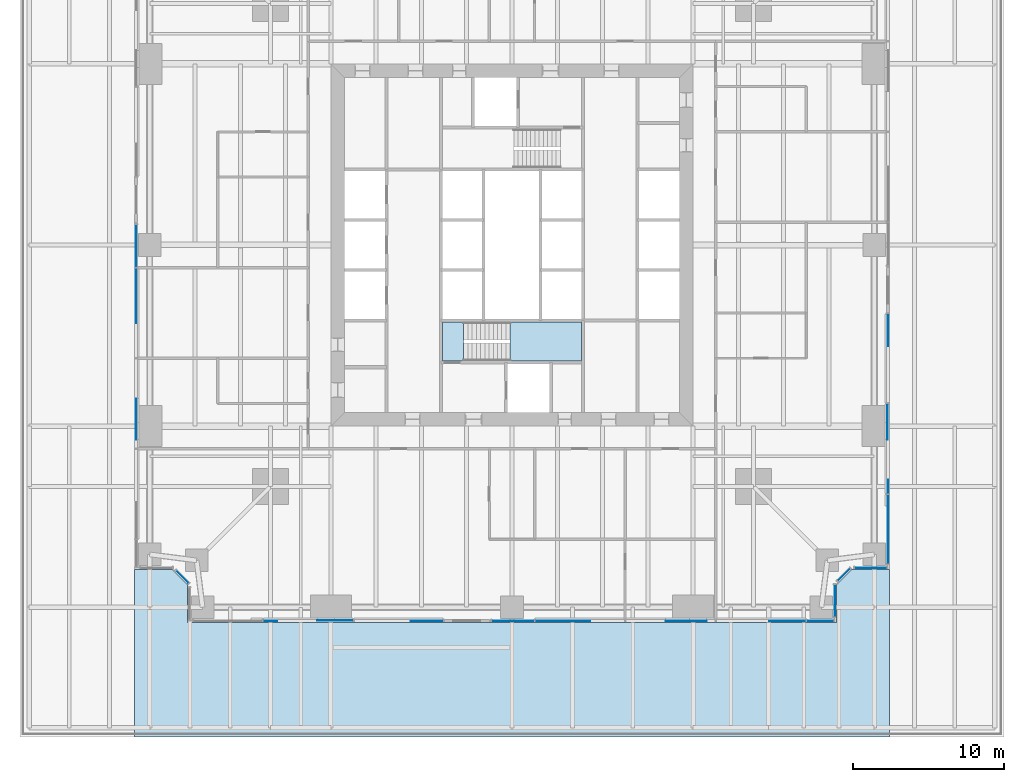
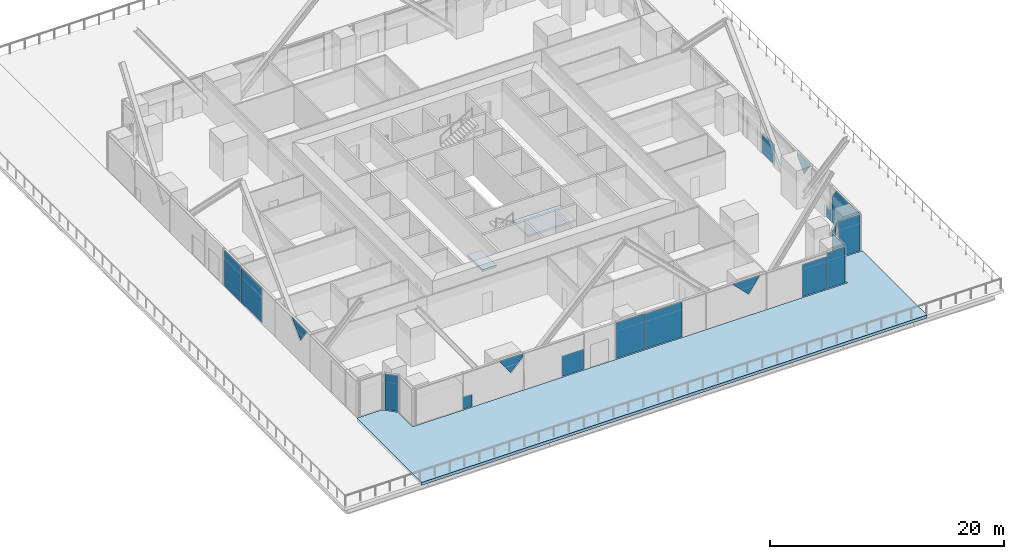
# One storey, part 11 of 21: 19 plates, 3 slabs, 9 elements without a shape of their own.
"""IFC4 building model written with IfcOpenShell, lengths in metres."""

import ifcopenshell
import ifcopenshell.guid

model = None  # the IFC model being written
_history = None  # IfcOwnerHistory: only IFC2X3 demands one
_inside = {}  # id of a spatial element -> (the spatial element, [elements in it])
_under = {}  # id of a project, library or spatial element -> (it, [spatial elements below it])
_declared = {}  # id of a project -> (the project, [libraries it declares])
_typed = {}  # id of a type object -> (the type object, [elements of that type])
_made_of = {}  # id of a material, layer set ... -> (it, [elements and type objects made of it])


def new_model(schema):
    """Start an empty IFC model of exactly this schema.

    Asked for "IFC4X3", IfcOpenShell would pick the latest addendum, in which some entities
    have other attributes; the version numbers below select the first issue.
    IFC2X3 requires an IfcOwnerHistory on every rooted entity: one is made here for all.
    """
    global model, _history
    if schema == "IFC4X3":
        model = ifcopenshell.file(schema_version=(4, 3, 0, 0))
    else:
        model = ifcopenshell.file(schema=schema)
    _inside.clear()
    _under.clear()
    _declared.clear()
    _typed.clear()
    _made_of.clear()
    _history = None
    if model.schema == "IFC2X3":
        org = make("IfcOrganization", Name="unknown")
        user = make(
            "IfcPersonAndOrganization",
            ThePerson=make("IfcPerson", FamilyName="unknown"),
            TheOrganization=org,
        )
        app = make(
            "IfcApplication",
            ApplicationDeveloper=org,
            Version="unknown",
            ApplicationFullName="unknown",
            ApplicationIdentifier="unknown",
        )
        _history = make(
            "IfcOwnerHistory",
            OwningUser=user,
            OwningApplication=app,
            ChangeAction="ADDED",
            CreationDate=0,
        )
    return model


def make(cls, **values):
    """One entity of the class cls with the attributes given. An attribute that is None is left unset."""
    return model.create_entity(
        cls, **{name: value for name, value in values.items() if value is not None}
    )


def rooted(cls, **values):
    """An entity with a GlobalId (a new one), such as an element, a storey or a relation."""
    return make(cls, GlobalId=ifcopenshell.guid.new(), OwnerHistory=_history, **values)


def si_unit(unit_type, name, prefix=None):
    """IfcSIUnit, for example si_unit("LENGTHUNIT", "METRE", prefix="MILLI")."""
    return make("IfcSIUnit", UnitType=unit_type, Prefix=prefix, Name=name)


def assignment(units):
    """IfcUnitAssignment: the units of a project."""
    return None if units is None else make("IfcUnitAssignment", Units=units)


def point(xyz):
    """IfcCartesianPoint."""
    return None if xyz is None else make("IfcCartesianPoint", Coordinates=xyz)


def direction(xyz):
    """IfcDirection."""
    return None if xyz is None else make("IfcDirection", DirectionRatios=xyz)


def frame(location, z_axis=None, x_axis=None):
    """IfcAxis2Placement3D, a coordinate frame: its origin and axes. An axis left out is left unset."""
    return make(
        "IfcAxis2Placement3D",
        Location=point(location),
        Axis=direction(z_axis),
        RefDirection=direction(x_axis),
    )


def frame_2d(location, x_axis=None):
    """IfcAxis2Placement2D, a coordinate frame in the plane: its origin and x axis."""
    return make(
        "IfcAxis2Placement2D", Location=point(location), RefDirection=direction(x_axis)
    )


def origin():
    """The frame at (0, 0, 0) with its axes left unset."""
    return frame((0.0, 0.0, 0.0))


def origin_2d():
    """The frame at (0, 0) in the plane with its x axis left unset."""
    return frame_2d((0.0, 0.0))


def place(relative_to, where):
    """IfcLocalPlacement: puts the frame where relative to a parent placement (None: the world)."""
    return make(
        "IfcLocalPlacement", PlacementRelTo=relative_to, RelativePlacement=where
    )


def context(
    kind, dimensions, precision=None, world=None, true_north=None, identifier=None
):
    """IfcGeometricRepresentationContext, for example the 3D "Model" context."""
    return make(
        "IfcGeometricRepresentationContext",
        ContextIdentifier=identifier,
        ContextType=kind,
        CoordinateSpaceDimension=dimensions,
        Precision=precision,
        WorldCoordinateSystem=world,
        TrueNorth=true_north,
    )


def subcontext(parent, identifier, kind, view, scale=None):
    """IfcGeometricRepresentationSubContext, for example "Body" below "Model"."""
    return make(
        "IfcGeometricRepresentationSubContext",
        ContextIdentifier=identifier,
        ContextType=kind,
        ParentContext=parent,
        TargetScale=scale,
        TargetView=view,
    )


def project(units=None, contexts=None):
    """IfcProject with its units and contexts."""
    return rooted(
        "IfcProject",
        Name="project",
        RepresentationContexts=contexts,
        UnitsInContext=assignment(units),
    )


def spatial(cls, under=None, at=None, **own):
    """A site, building, storey or space (cls), placed at a placement, below another one or the project."""
    s = rooted(cls, ObjectPlacement=at, **own)
    if under is not None:
        _under.setdefault(under.id(), (under, []))[1].append(s)
    return s


def polyline(points):
    """IfcPolyline through the points."""
    return make("IfcPolyline", Points=[point(p) for p in points])


def profile(cls, at=None, kind="AREA", **sizes):
    """A parametric profile (cls). Its sizes go by their IFC names, for example OverallWidth=200.0."""
    return make(cls, ProfileType=kind, Position=at, **sizes)


def rectangle(**sizes):
    """IfcRectangleProfileDef."""
    return profile("IfcRectangleProfileDef", **sizes)


def outline(outer, holes=None, kind="AREA"):
    """IfcArbitraryClosedProfileDef: a profile drawn as a closed curve; with holes, ...WithVoids."""
    if holes is None:
        return make("IfcArbitraryClosedProfileDef", ProfileType=kind, OuterCurve=outer)
    return make(
        "IfcArbitraryProfileDefWithVoids",
        ProfileType=kind,
        OuterCurve=outer,
        InnerCurves=holes,
    )


def extrude(swept, where, along, depth):
    """IfcExtrudedAreaSolid: the profile swept, set in the frame where, extruded along a direction by depth."""
    return make(
        "IfcExtrudedAreaSolid",
        SweptArea=swept,
        Position=where,
        ExtrudedDirection=direction(along),
        Depth=depth,
    )


def shape(context_of_items, identifier, shape_type, items):
    """IfcShapeRepresentation: the items that make up one representation, for example the "Body"."""
    return make(
        "IfcShapeRepresentation",
        ContextOfItems=context_of_items,
        RepresentationIdentifier=identifier,
        RepresentationType=shape_type,
        Items=items,
    )


def material(Name=None, Category=None):
    """IfcMaterial."""
    return make("IfcMaterial", Name=Name, Category=Category)


def layer(
    of_material, thickness, ventilated=None, Name=None, Category=None, Priority=None
):
    """IfcMaterialLayer: one layer of a wall or slab, of a material (None: an air gap)."""
    return make(
        "IfcMaterialLayer",
        Material=of_material,
        LayerThickness=thickness,
        IsVentilated=ventilated,
        Name=Name,
        Category=Category,
        Priority=Priority,
    )


def layer_set(layers, Name=None):
    """IfcMaterialLayerSet."""
    return make("IfcMaterialLayerSet", MaterialLayers=layers, LayerSetName=Name)


def made_of(thing, what):
    """Note that an element or type object is made of a material, layer set ...; save() writes the relation."""
    if what is not None:
        _made_of.setdefault(what.id(), (what, []))[1].append(thing)
    return thing


def type_object(cls, material=None, **own):
    """A type object (cls), such as IfcWallType, which elements share."""
    return made_of(rooted(cls, **own), material)


def element(
    cls,
    number,
    at=None,
    inside=None,
    cuts=None,
    type_object=None,
    material=None,
    context=None,
    identifier="Body",
    shape_type=None,
    held_by="IfcProductDefinitionShape",
    body=None,
    shapes=None,
    **own,
):
    """One element of the class cls, such as IfcWall. Its Tag is "e" and its number.

    at: its placement. inside: the storey or other place that contains it. cuts: it is an
    opening in that element (IfcRelVoidsElement). A single representation is given by context,
    identifier, shape_type and body (its items); several are given by shapes. held_by: the class
    of the entity that holds the representations. save() writes the other relations.
    """
    e = rooted(cls, Tag="e%d" % number, ObjectPlacement=at, **own)
    if body is not None:
        shapes = [shape(context, identifier, shape_type, body)]
    if shapes is not None:
        e.Representation = make(held_by, Representations=shapes)
    if inside is not None:
        _inside.setdefault(inside.id(), (inside, []))[1].append(e)
    if cuts is not None:
        rooted(
            "IfcRelVoidsElement", RelatingBuildingElement=cuts, RelatedOpeningElement=e
        )
    if type_object is not None:
        _typed.setdefault(type_object.id(), (type_object, []))[1].append(e)
    return made_of(e, material)


def aggregate(whole, parts):
    """IfcRelAggregates: a whole, such as a stair, and the parts it consists of."""
    return rooted("IfcRelAggregates", RelatingObject=whole, RelatedObjects=parts)


def save(model, path):
    """Write the relations noted so far, then the file.

    IfcRelAggregates (storeys below a building ...), IfcRelContainedInSpatialStructure (elements
    in a storey), IfcRelDefinesByType, IfcRelAssociatesMaterial and IfcRelDeclares: one each for
    every whole, place, type object, material and project.
    """
    for whole, parts in _under.values():
        aggregate(whole, parts)
    for where, things in _inside.values():
        rooted(
            "IfcRelContainedInSpatialStructure",
            RelatedElements=things,
            RelatingStructure=where,
        )
    for kind, things in _typed.values():
        rooted("IfcRelDefinesByType", RelatedObjects=things, RelatingType=kind)
    for what, things in _made_of.values():
        rooted("IfcRelAssociatesMaterial", RelatedObjects=things, RelatingMaterial=what)
    for by, libraries in _declared.values():
        rooted("IfcRelDeclares", RelatingContext=by, RelatedDefinitions=libraries)
    model.write(path)


model = new_model("IFC4")

# Units and contexts
model_context = context("Model", 3, precision=1e-05, world=origin(), true_north=direction((0.0, 1.0)))
body_context = subcontext(model_context, "Body", "Model", "MODEL_VIEW")
ifc_project = project(units=[si_unit("LENGTHUNIT", "METRE"), si_unit("AREAUNIT", "SQUARE_METRE"), si_unit("VOLUMEUNIT", "CUBIC_METRE"), si_unit("PLANEANGLEUNIT", "RADIAN"), si_unit("MASSUNIT", "GRAM", prefix="KILO")], contexts=[model_context])

# Site, building, storey
site_placement = place(None, origin())
site = spatial("IfcSite", under=ifc_project, at=site_placement, CompositionType="ELEMENT")
building_placement = place(site_placement, origin())
building = spatial("IfcBuilding", under=site, at=building_placement, Name="Fenwick Lantern Interchange", CompositionType="ELEMENT")
storey_placement = place(building_placement, frame((0.0, 0.0, 31.0)))
storey = spatial("IfcBuildingStorey", under=building, at=storey_placement, Name="L06", CompositionType="ELEMENT", Elevation=31.0)

# Curtain wall, plates
ifc_material_1 = material(Name="Aluminium curtain wall frame", Category="aluminium")
curtain_wall_type = type_object("IfcCurtainWallType", Name="OFFICE CURTAIN WALL", PredefinedType="USERDEFINED", material=ifc_material_1)
curtain_wall_1_placement = place(storey_placement, origin())
curtain_wall_1 = element("IfcCurtainWall", 1, at=curtain_wall_1_placement, inside=storey, type_object=curtain_wall_type, Name="Office curtain wall 01A", ObjectType="OFFICE CURTAIN WALL", PredefinedType="USERDEFINED")
ifc_material_2 = material(Name="Vision glass, clear low-iron double glazed", Category="glass")
ifc_layer_1 = layer(ifc_material_2, 0.031982421875)
ifc_layer_set_1 = layer_set([ifc_layer_1], Name="OFFICE CURTAIN WALL PANEL 32")
plate_type = type_object("IfcPlateType", Name="OFFICE CURTAIN WALL PANEL 32", PredefinedType="CURTAIN_PANEL", material=ifc_layer_set_1)
plate_1_placement = place(storey_placement, frame((3.60009765625, 0.10009765625, 0.0), z_axis=(0.0, 0.0, 1.0), x_axis=(1.0, 0.0, 0.0)))
plate_1 = element("IfcPlate", 2, at=plate_1_placement, type_object=plate_type, Name="L06/CW/01A/P01a", PredefinedType="CURTAIN_PANEL", context=body_context, shape_type="SweptSolid", body=[
    extrude(outline(polyline([(4.9326171875, 0.0), (5.842529296875, 0.0), (5.842529296875, 1.287841796875), (4.9326171875, 1.287841796875), (4.9326171875, 0.0)])), frame((0.0, 0.01611328125, 0.0), z_axis=(0.0, -1.0, 0.0), x_axis=(1.0, 0.0, 0.0)), (0.0, 0.0, 1.0), 0.031982421875),
])
plate_2_placement = place(storey_placement, frame((3.60009765625, 0.10009765625, 2.158935546875), z_axis=(0.0, 0.0, 1.0), x_axis=(1.0, 0.0, 0.0)))
plate_2 = element("IfcPlate", 3, at=plate_2_placement, type_object=plate_type, Name="L06/CW/01A/P01b", PredefinedType="CURTAIN_PANEL", context=body_context, shape_type="SweptSolid", body=[
    extrude(outline(polyline([(9.635986328125, 0.0), (10.867431640625, 1.2333984375), (10.867431640625, 1.591064453125), (8.510498046875, 1.591064453125), (9.635986328125, 0.0)])), frame((0.0, 0.0498046875, 0.0), z_axis=(0.0, -1.0, 0.0), x_axis=(1.0, 0.0, 0.0)), (0.0, 0.0, 1.0), 0.031982421875),
])
plate_3_placement = place(storey_placement, frame((3.60009765625, 0.10009765625, 0.0), z_axis=(0.0, 0.0, 1.0), x_axis=(1.0, 0.0, 0.0)))
plate_3 = element("IfcPlate", 4, at=plate_3_placement, type_object=plate_type, Name="L06/CW/01A/P02a", PredefinedType="CURTAIN_PANEL", context=body_context, shape_type="SweptSolid", body=[
    extrude(outline(polyline([(14.70263671875, 0.0), (16.8349609375, 0.0), (16.8349609375, 2.138427734375), (14.70263671875, 2.138427734375), (14.70263671875, 0.0)])), frame((0.0, 0.01611328125, 0.0), z_axis=(0.0, -1.0, 0.0), x_axis=(1.0, 0.0, 0.0)), (0.0, 0.0, 1.0), 0.031982421875),
])
aggregate(curtain_wall_1, [plate_1, plate_2, plate_3])

curtain_wall_2_placement = place(storey_placement, origin())
curtain_wall_2 = element("IfcCurtainWall", 5, at=curtain_wall_2_placement, inside=storey, type_object=curtain_wall_type, Name="Office curtain wall 01B", ObjectType="OFFICE CURTAIN WALL", PredefinedType="USERDEFINED")
plate_4_placement = place(storey_placement, frame((25.066162109375, 0.10009765625, 0.0), z_axis=(0.0, 0.0, 1.0), x_axis=(1.0, 0.0, 0.0)))
plate_4 = element("IfcPlate", 6, at=plate_4_placement, type_object=plate_type, Name="L06/CW/01B/P00", PredefinedType="CURTAIN_PANEL", context=body_context, shape_type="SweptSolid", body=[
    extrude(rectangle(XDim=2.802490234375, YDim=0.031982421875, at=origin_2d()), origin(), (0.0, 0.0, 1.0), 3.75),
])
plate_5_placement = place(storey_placement, frame((23.5, 0.10009765625, 0.0), z_axis=(0.0, 0.0, 1.0), x_axis=(1.0, 0.0, 0.0)))
plate_5 = element("IfcPlate", 7, at=plate_5_placement, type_object=plate_type, Name="L06/CW/01B/P01a", PredefinedType="CURTAIN_PANEL", context=body_context, shape_type="SweptSolid", body=[
    extrude(outline(polyline([(3.032470703125, 0.0), (6.6826171875, 0.0), (6.6826171875, 3.65576171875), (3.032470703125, 3.65576171875), (3.032470703125, 0.0)])), frame((0.0, 0.01611328125, 0.0), z_axis=(0.0, -1.0, 0.0), x_axis=(1.0, 0.0, 0.0)), (0.0, 0.0, 1.0), 0.031982421875),
])
plate_6_placement = place(storey_placement, frame((23.5, 0.10009765625, 2.158935546875), z_axis=(0.0, 0.0, 1.0), x_axis=(1.0, 0.0, 0.0)))
plate_6 = element("IfcPlate", 8, at=plate_6_placement, type_object=plate_type, Name="L06/CW/01B/P02a", PredefinedType="CURTAIN_PANEL", context=body_context, shape_type="SweptSolid", body=[
    extrude(outline(polyline([(13.26416015625, 0.0), (14.389404296875, 1.591064453125), (11.675537109375, 1.591064453125), (13.26416015625, 0.0)])), frame((0.0, 0.01611328125, 0.0), z_axis=(0.0, -1.0, 0.0), x_axis=(1.0, 0.0, 0.0)), (0.0, 0.0, 1.0), 0.031982421875),
])
plate_7_placement = place(storey_placement, frame((23.5, 0.10009765625, 0.0), z_axis=(0.0, 0.0, 1.0), x_axis=(1.0, 0.0, 0.0)))
plate_7 = element("IfcPlate", 9, at=plate_7_placement, type_object=plate_type, Name="L06/CW/01B/P03a", PredefinedType="CURTAIN_PANEL", context=body_context, shape_type="SweptSolid", body=[
    extrude(outline(polyline([(18.556640625, 0.0), (20.967529296875, 0.0), (20.967529296875, 3.40771484375), (18.556640625, 3.40771484375), (18.556640625, 0.0)])), frame((0.0, 0.01611328125, 0.0), z_axis=(0.0, -1.0, 0.0), x_axis=(1.0, 0.0, 0.0)), (0.0, 0.0, 1.0), 0.031982421875),
])
plate_8_placement = place(storey_placement, frame((45.433837890625, 0.10009765625, 0.0), z_axis=(0.0, 0.0, 1.0), x_axis=(1.0, 0.0, 0.0)))
plate_8 = element("IfcPlate", 10, at=plate_8_placement, type_object=plate_type, Name="L06/CW/01B/P04", PredefinedType="CURTAIN_PANEL", context=body_context, shape_type="SweptSolid", body=[
    extrude(rectangle(XDim=1.802490234375, YDim=0.031982421875, at=origin_2d()), origin(), (0.0, 0.0, 1.0), 3.75),
])
aggregate(curtain_wall_2, [plate_4, plate_5, plate_6, plate_7, plate_8])

# Curtain wall, plate
curtain_wall_3_placement = place(storey_placement, origin())
curtain_wall_3 = element("IfcCurtainWall", 11, at=curtain_wall_3_placement, inside=storey, type_object=curtain_wall_type, Name="Office curtain wall 02", ObjectType="OFFICE CURTAIN WALL", PredefinedType="USERDEFINED")
plate_9_placement = place(storey_placement, frame((46.39990234375, 1.420654296875, 0.0), z_axis=(0.0, 0.0, 1.0), x_axis=(0.0, 1.0, 0.0)))
plate_9 = element("IfcPlate", 12, at=plate_9_placement, type_object=plate_type, Name="L06/CW/02/P00", PredefinedType="CURTAIN_PANEL", context=body_context, shape_type="SweptSolid", body=[
    extrude(rectangle(XDim=2.111328125, YDim=0.031982421875, at=origin_2d()), origin(), (0.0, 0.0, 1.0), 3.75),
])
aggregate(curtain_wall_3, [plate_9])

curtain_wall_4_placement = place(storey_placement, origin())
curtain_wall_4 = element("IfcCurtainWall", 13, at=curtain_wall_4_placement, inside=storey, type_object=curtain_wall_type, Name="Office curtain wall 03", ObjectType="OFFICE CURTAIN WALL", PredefinedType="USERDEFINED")
plate_10_placement = place(storey_placement, frame((47.0, 3.141357421875, 0.0), z_axis=(0.0, 0.0, 1.0), x_axis=(0.707106781187, 0.707106781187, 0.0)))
plate_10 = element("IfcPlate", 14, at=plate_10_placement, type_object=plate_type, Name="L06/CW/03/P00", PredefinedType="CURTAIN_PANEL", context=body_context, shape_type="SweptSolid", body=[
    extrude(rectangle(XDim=1.1669921875, YDim=0.031982421875, at=origin_2d()), origin(), (0.0, 0.0, 1.0), 3.75),
])
aggregate(curtain_wall_4, [plate_10])

curtain_wall_5_placement = place(storey_placement, origin())
curtain_wall_5 = element("IfcCurtainWall", 15, at=curtain_wall_5_placement, inside=storey, type_object=curtain_wall_type, Name="Office curtain wall 04", ObjectType="OFFICE CURTAIN WALL", PredefinedType="USERDEFINED")
plate_11_placement = place(storey_placement, frame((48.779296875, 3.60009765625, 0.0), z_axis=(0.0, 0.0, 1.0), x_axis=(1.0, 0.0, 0.0)))
plate_11 = element("IfcPlate", 16, at=plate_11_placement, type_object=plate_type, Name="L06/CW/04/P00", PredefinedType="CURTAIN_PANEL", context=body_context, shape_type="SweptSolid", body=[
    extrude(rectangle(XDim=2.111328125, YDim=0.031982421875, at=origin_2d()), origin(), (0.0, 0.0, 1.0), 3.75),
])
aggregate(curtain_wall_5, [plate_11])

# Curtain wall, plates
curtain_wall_6_placement = place(storey_placement, origin())
curtain_wall_6 = element("IfcCurtainWall", 17, at=curtain_wall_6_placement, inside=storey, type_object=curtain_wall_type, Name="Office curtain wall 05A", ObjectType="OFFICE CURTAIN WALL", PredefinedType="USERDEFINED")
plate_12_placement = place(storey_placement, frame((49.89990234375, 3.60009765625, 0.0), z_axis=(0.0, 0.0, 1.0), x_axis=(0.0, 1.0, 0.0)))
plate_12 = element("IfcPlate", 18, at=plate_12_placement, type_object=plate_type, Name="L06/CW/05A/P00a", PredefinedType="CURTAIN_PANEL", context=body_context, shape_type="SweptSolid", body=[
    extrude(outline(polyline([(0.264892578125, 0.0), (4.867431640625, 0.0), (4.867431640625, 2.66650390625), (4.101318359375, 3.75), (0.264892578125, 3.75), (0.264892578125, 0.0)])), frame((0.0, 0.01611328125, 0.0), z_axis=(0.0, -1.0, 0.0), x_axis=(1.0, 0.0, 0.0)), (0.0, 0.0, 1.0), 0.031982421875),
])
plate_13_placement = place(storey_placement, frame((49.89990234375, 3.60009765625, 0.0), z_axis=(0.0, 0.0, 1.0), x_axis=(0.0, 1.0, 0.0)))
plate_13 = element("IfcPlate", 19, at=plate_13_placement, type_object=plate_type, Name="L06/CW/05A/P01a", PredefinedType="CURTAIN_PANEL", context=body_context, shape_type="SweptSolid", body=[
    extrude(outline(polyline([(4.9326171875, 0.0), (5.842529296875, 0.0), (5.842529296875, 1.287841796875), (4.9326171875, 1.287841796875), (4.9326171875, 0.0)])), frame((0.0, 0.01611328125, 0.0), z_axis=(0.0, -1.0, 0.0), x_axis=(1.0, 0.0, 0.0)), (0.0, 0.0, 1.0), 0.031982421875),
])
plate_14_placement = place(storey_placement, frame((49.89990234375, 3.60009765625, 2.158935546875), z_axis=(0.0, 0.0, 1.0), x_axis=(0.0, 1.0, 0.0)))
plate_14 = element("IfcPlate", 20, at=plate_14_placement, type_object=plate_type, Name="L06/CW/05A/P01b", PredefinedType="CURTAIN_PANEL", context=body_context, shape_type="SweptSolid", body=[
    extrude(outline(polyline([(9.635986328125, 0.0), (10.867431640625, 1.2333984375), (10.867431640625, 1.591064453125), (8.510498046875, 1.591064453125), (9.635986328125, 0.0)])), frame((0.0, 0.0498046875, 0.0), z_axis=(0.0, -1.0, 0.0), x_axis=(1.0, 0.0, 0.0)), (0.0, 0.0, 1.0), 0.031982421875),
])
plate_15_placement = place(storey_placement, frame((49.89990234375, 3.60009765625, 0.0), z_axis=(0.0, 0.0, 1.0), x_axis=(0.0, 1.0, 0.0)))
plate_15 = element("IfcPlate", 21, at=plate_15_placement, type_object=plate_type, Name="L06/CW/05A/P02a", PredefinedType="CURTAIN_PANEL", context=body_context, shape_type="SweptSolid", body=[
    extrude(outline(polyline([(14.70263671875, 0.0), (16.8349609375, 0.0), (16.8349609375, 2.138427734375), (14.70263671875, 2.138427734375), (14.70263671875, 0.0)])), frame((0.0, 0.01611328125, 0.0), z_axis=(0.0, -1.0, 0.0), x_axis=(1.0, 0.0, 0.0)), (0.0, 0.0, 1.0), 0.031982421875),
])
aggregate(curtain_wall_6, [plate_12, plate_13, plate_14, plate_15])

curtain_wall_7_placement = place(storey_placement, origin())
curtain_wall_7 = element("IfcCurtainWall", 22, at=curtain_wall_7_placement, inside=storey, type_object=curtain_wall_type, Name="Office curtain wall 13B", ObjectType="OFFICE CURTAIN WALL", PredefinedType="USERDEFINED")
plate_16_placement = place(storey_placement, frame((0.10009765625, 24.933837890625, 0.0), z_axis=(0.0, 0.0, 1.0), x_axis=(0.0, -1.0, 0.0)))
plate_16 = element("IfcPlate", 23, at=plate_16_placement, type_object=plate_type, Name="L06/CW/13B/P00", PredefinedType="CURTAIN_PANEL", context=body_context, shape_type="SweptSolid", body=[
    extrude(rectangle(XDim=2.802490234375, YDim=0.031982421875, at=origin_2d()), origin(), (0.0, 0.0, 1.0), 3.75),
])
plate_17_placement = place(storey_placement, frame((0.10009765625, 26.5, 0.0), z_axis=(0.0, 0.0, 1.0), x_axis=(0.0, -1.0, 0.0)))
plate_17 = element("IfcPlate", 24, at=plate_17_placement, type_object=plate_type, Name="L06/CW/13B/P01a", PredefinedType="CURTAIN_PANEL", context=body_context, shape_type="SweptSolid", body=[
    extrude(outline(polyline([(3.032470703125, 0.0), (6.6826171875, 0.0), (6.6826171875, 3.65576171875), (3.032470703125, 3.65576171875), (3.032470703125, 0.0)])), frame((0.0, 0.01611328125, 0.0), z_axis=(0.0, -1.0, 0.0), x_axis=(1.0, 0.0, 0.0)), (0.0, 0.0, 1.0), 0.031982421875),
])
plate_18_placement = place(storey_placement, frame((0.10009765625, 26.5, 2.158935546875), z_axis=(0.0, 0.0, 1.0), x_axis=(0.0, -1.0, 0.0)))
plate_18 = element("IfcPlate", 25, at=plate_18_placement, type_object=plate_type, Name="L06/CW/13B/P02a", PredefinedType="CURTAIN_PANEL", context=body_context, shape_type="SweptSolid", body=[
    extrude(outline(polyline([(13.26416015625, 0.0), (14.389404296875, 1.591064453125), (11.675537109375, 1.591064453125), (13.26416015625, 0.0)])), frame((0.0, 0.01611328125, 0.0), z_axis=(0.0, -1.0, 0.0), x_axis=(1.0, 0.0, 0.0)), (0.0, 0.0, 1.0), 0.031982421875),
])
aggregate(curtain_wall_7, [plate_16, plate_17, plate_18])

# Curtain wall, plate
curtain_wall_8_placement = place(storey_placement, origin())
curtain_wall_8 = element("IfcCurtainWall", 26, at=curtain_wall_8_placement, inside=storey, type_object=curtain_wall_type, Name="Office curtain wall 15", ObjectType="OFFICE CURTAIN WALL", PredefinedType="USERDEFINED")
plate_19_placement = place(storey_placement, frame((3.141357421875, 3.0, 0.0), z_axis=(0.0, 0.0, 1.0), x_axis=(0.707106781187, -0.707106781187, 0.0)))
plate_19 = element("IfcPlate", 27, at=plate_19_placement, type_object=plate_type, Name="L06/CW/15/P00", PredefinedType="CURTAIN_PANEL", context=body_context, shape_type="SweptSolid", body=[
    extrude(rectangle(XDim=1.1669921875, YDim=0.031982421875, at=origin_2d()), origin(), (0.0, 0.0, 1.0), 3.75),
])
aggregate(curtain_wall_8, [plate_19])

# Stair, slabs
ifc_material_3 = material(Name="Precast concrete f'c 35 MPa", Category="concrete")
stair_type = type_object("IfcStairType", Name="EXIT STAIR 1200", PredefinedType="HALF_TURN_STAIR", material=ifc_material_3)
stair_placement = place(storey_placement, origin())
stair = element("IfcStair", 28, at=stair_placement, inside=storey, type_object=stair_type, Name="Exit stair ST1", PredefinedType="HALF_TURN_STAIR")
ifc_material_4 = material(Name="Concrete f'c 35 MPa", Category="concrete")
ifc_layer_2 = layer(ifc_material_4, 0.199951171875)
ifc_layer_set_2 = layer_set([ifc_layer_2], Name="STAIR LANDING 200")
slab_type_1 = type_object("IfcSlabType", Name="STAIR LANDING 200", PredefinedType="LANDING", material=ifc_layer_set_2)
slab_1_placement = place(storey_placement, frame((0.0, 0.0, 1.800048828125)))
slab_1 = element("IfcSlab", 29, at=slab_1_placement, type_object=slab_type_1, Name="ST1 landing 1", PredefinedType="LANDING", context=body_context, shape_type="SweptSolid", body=[
    extrude(outline(polyline([(24.8798828125, 17.300048828125), (29.60009765625, 17.300048828125), (29.60009765625, 19.89990234375), (24.8798828125, 19.89990234375), (24.8798828125, 17.300048828125)])), origin(), (0.0, 0.0, 1.0), 0.199951171875),
])
slab_2_placement = place(storey_placement, frame((0.0, 0.0, -0.199951171875)))
slab_2 = element("IfcSlab", 30, at=slab_2_placement, type_object=slab_type_1, Name="ST1 landing 2", PredefinedType="LANDING", context=body_context, shape_type="SweptSolid", body=[
    extrude(outline(polyline([(20.39990234375, 17.300048828125), (21.800048828125, 17.300048828125), (21.800048828125, 19.89990234375), (20.39990234375, 19.89990234375), (20.39990234375, 17.300048828125)])), origin(), (0.0, 0.0, 1.0), 0.199951171875),
])
aggregate(stair, [slab_1, slab_2])

# Slab
ifc_material_5 = material(Name="Concrete f'c 35 MPa", Category="concrete")
ifc_layer_3 = layer(ifc_material_5, 0.300048828125)
ifc_layer_set_3 = layer_set([ifc_layer_3], Name="Concrete f'c 35 MPa")
slab_type_2 = type_object("IfcSlabType", Name="TERRACE SLAB 300", PredefinedType="FLOOR", material=ifc_layer_set_3)
slab_3_placement = place(storey_placement, frame((0.0, 0.0, -0.300048828125)))
element("IfcSlab", 31, at=slab_3_placement, inside=storey, type_object=slab_type_2, Name="L06/SLAB/T2", PredefinedType="FLOOR", context=body_context, shape_type="SweptSolid", body=[
    extrude(outline(polyline([(0.0, -7.60009765625), (0.0, 3.5), (2.5, 3.5), (3.5, 2.5), (3.5, 0.0), (46.5, 0.0), (46.5, 2.5), (47.5, 3.5), (50.0, 3.5), (50.0, -7.60009765625), (0.0, -7.60009765625)])), origin(), (0.0, 0.0, 1.0), 0.300048828125),
])

save(model, "model.ifc")
